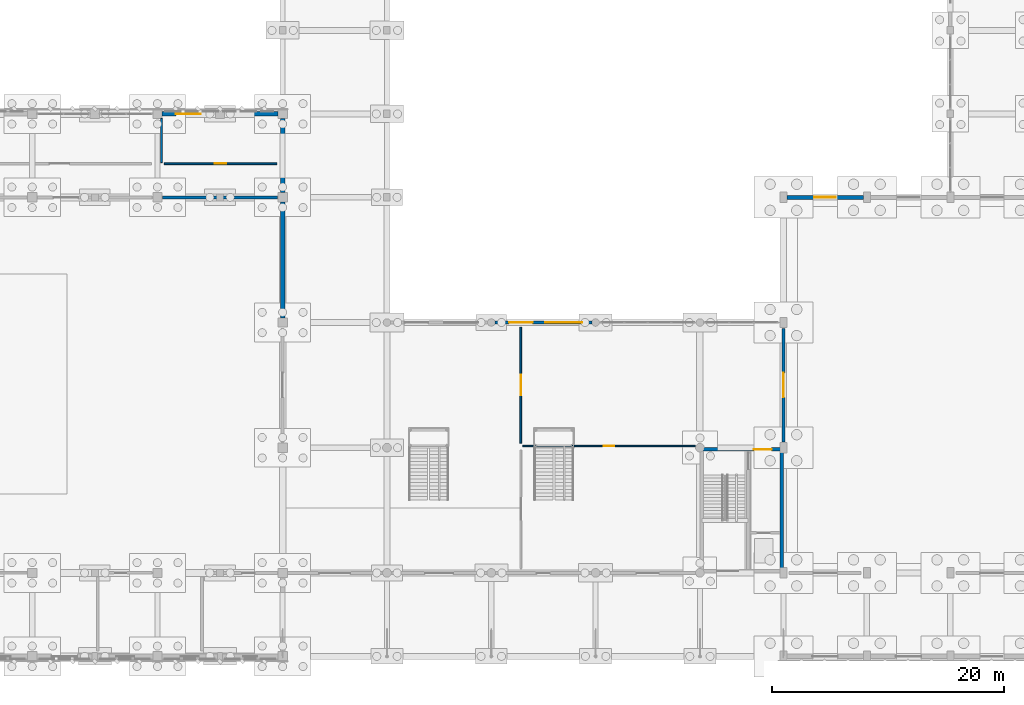
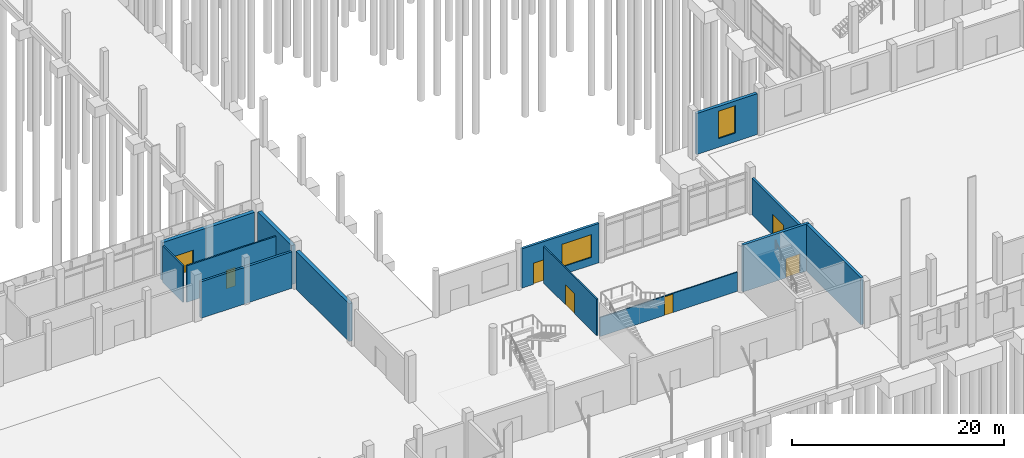
# One storey, part 85 of 109: 13 walls, 7 doors, 2 windows, 9 openings.
"""IFC4 building model written with IfcOpenShell, lengths in metres."""

from ifc_helpers import new_model, si_unit, direction, frame, frame_2d, origin, place, context, subcontext, project, spatial, rectangle, extrude, material, layer, layer_set, type_object, element, fill, save


model = new_model("IFC4")

# Units and contexts
model_context = context("Model", 3, precision=1e-05, world=origin(), true_north=direction((0.0, 1.0)))
body_context = subcontext(model_context, "Body", "Model", "MODEL_VIEW")
ifc_project = project(units=[si_unit("LENGTHUNIT", "METRE"), si_unit("AREAUNIT", "SQUARE_METRE"), si_unit("VOLUMEUNIT", "CUBIC_METRE"), si_unit("PLANEANGLEUNIT", "RADIAN"), si_unit("MASSUNIT", "GRAM", prefix="KILO")], contexts=[model_context])

# Site, building, storey
site_placement = place(None, origin())
site = spatial("IfcSite", under=ifc_project, at=site_placement, CompositionType="ELEMENT")
building_placement = place(site_placement, origin())
building = spatial("IfcBuilding", under=site, at=building_placement, Name="Lusvemor Sports Hall", CompositionType="ELEMENT")
storey_placement = place(building_placement, origin())
storey = spatial("IfcBuildingStorey", under=building, at=storey_placement, Name="L00", CompositionType="ELEMENT", Elevation=0.0)

# Wall, openings, door, window
ifc_material_1 = material(Name="Precast granite-faced Concrete C40/50 architectural cladding", Category="masonry")
ifc_layer_1 = layer(ifc_material_1, 0.27001953125)
ifc_layer_set_1 = layer_set([ifc_layer_1], Name="Precast granite-faced Concrete C40/50 architectural cladding")
wall_type_1 = type_object("IfcWallType", Name="EW_FOYER_270", PredefinedType="STANDARD", material=ifc_layer_set_1)
wall_1_placement = place(storey_placement, frame((93.91064453125, 28.800048828125, 0.0), z_axis=(0.0, 0.0, 1.0), x_axis=(1.0, 0.0, 0.0)))
wall_1 = element("IfcWall", 1, at=wall_1_placement, inside=storey, type_object=wall_type_1, Name="Exterior Wall EW-V4N-L00-2", PredefinedType="STANDARD", context=body_context, shape_type="SweptSolid", body=[
    extrude(rectangle(XDim=8.378662109375, YDim=0.27001953125, at=frame_2d((4.189453125, 0.0))), origin(), (0.0, 0.0, 1.0), 4.514892578125),
])
opening_1_placement = place(wall_1_placement, frame((1.229248046875, 0.0, 0.0)))
opening_1 = element("IfcOpeningElement", 2, at=opening_1_placement, cuts=wall_1, Name="Opening ED05", PredefinedType="OPENING", context=body_context, shape_type="SweptSolid", body=[
    extrude(rectangle(XDim=2.02001953125, YDim=2.43994140625, at=frame_2d((1.010009765625, 1.219970703125))), frame((0.0, 0.135009765625, 0.0), z_axis=(0.0, -1.0, 0.0), x_axis=(1.0, 0.0, 0.0)), (0.0, 0.0, 1.0), 0.27001953125),
])
opening_2_placement = place(wall_1_placement, frame((4.329345703125, 0.0, 0.89990234375)))
opening_2 = element("IfcOpeningElement", 3, at=opening_2_placement, cuts=wall_1, Name="Opening WN27", PredefinedType="OPENING", context=body_context, shape_type="SweptSolid", body=[
    extrude(rectangle(XDim=3.219970703125, YDim=2.6201171875, at=frame_2d((1.60986328125, 1.31005859375))), frame((0.0, 0.135009765625, 0.0), z_axis=(0.0, -1.0, 0.0), x_axis=(1.0, 0.0, 0.0)), (0.0, 0.0, 1.0), 0.27001953125),
])
ifc_material_2 = material(Name="Thermally broken bronze-anodized aluminium", Category="aluminium")
door_type_1 = type_object("IfcDoorType", Name="EDR_CAFE_202x244", OperationType="NOTDEFINED", PredefinedType="DOOR", material=ifc_material_2)
door_1_placement = place(opening_1_placement, origin())
door_1 = element("IfcDoor", 4, at=door_1_placement, inside=storey, type_object=door_type_1, Name="DR-019", OperationType="SINGLE_SWING_RIGHT", OverallHeight=2.43994140625, OverallWidth=2.02001953125, PredefinedType="DOOR", context=body_context, shape_type="SweptSolid", body=[
    extrude(rectangle(XDim=2.02001953125, YDim=2.43994140625, at=frame_2d((1.010009765625, 1.219970703125))), frame((0.0, 0.02490234375, 0.0), z_axis=(0.0, -1.0, 0.0), x_axis=(1.0, 0.0, 0.0)), (0.0, 0.0, 1.0), 0.050048828125),
])
fill(opening_1, door_1)
ifc_material_3 = material(Name="Solar-control laminated double glazing", Category="glass")
window_type_1 = type_object("IfcWindowType", Name="WIN_27", PartitioningType="SINGLE_PANEL", PredefinedType="WINDOW", material=ifc_material_3)
window_1_placement = place(opening_2_placement, origin())
window_1 = element("IfcWindow", 5, at=window_1_placement, inside=storey, type_object=window_type_1, Name="Community Cafe Garden Window 2", OverallHeight=2.6201171875, OverallWidth=3.219970703125, PartitioningType="SINGLE_PANEL", PredefinedType="WINDOW", context=body_context, shape_type="SweptSolid", body=[
    extrude(rectangle(XDim=3.219970703125, YDim=2.6201171875, at=frame_2d((1.60986328125, 1.31005859375))), frame((0.0, 0.030029296875, 0.0), z_axis=(0.0, -1.0, 0.0), x_axis=(1.0, 0.0, 0.0)), (0.0, 0.0, 1.0), 0.06005859375),
])
fill(opening_2, window_1)

# Wall, opening, door
ifc_material_4 = material(Name="Precast granite-faced Concrete C40/50 architectural cladding", Category="masonry")
ifc_layer_2 = layer(ifc_material_4, 0.39501953125)
ifc_layer_set_2 = layer_set([ifc_layer_2], Name="Precast granite-faced Concrete C40/50 architectural cladding")
wall_type_2 = type_object("IfcWallType", Name="EW_GRANITE_395", PredefinedType="STANDARD", material=ifc_layer_set_2)
wall_2_placement = place(storey_placement, frame((65.196044921875, 46.800048828125, 0.0), z_axis=(0.0, 0.0, 1.0), x_axis=(1.0, 0.0, 0.0)))
wall_2 = element("IfcWall", 6, at=wall_2_placement, inside=storey, type_object=wall_type_2, Name="Exterior Wall EW-V1N-L00-6", PredefinedType="STANDARD", context=body_context, shape_type="SweptSolid", body=[
    extrude(rectangle(XDim=10.008056640625, YDim=0.39501953125, at=frame_2d((5.00390625, 0.0))), origin(), (0.0, 0.0, 1.0), 4.405029296875),
])
opening_3_placement = place(wall_2_placement, frame((1.18408203125, 0.0, 0.0)))
opening_3 = element("IfcOpeningElement", 7, at=opening_3_placement, cuts=wall_2, Name="Opening ED12", PredefinedType="OPENING", context=body_context, shape_type="SweptSolid", body=[
    extrude(rectangle(XDim=2.159912109375, YDim=2.3798828125, at=frame_2d((1.080078125, 1.18994140625))), frame((0.0, 0.197509765625, 0.0), z_axis=(0.0, -1.0, 0.0), x_axis=(1.0, 0.0, 0.0)), (0.0, 0.0, 1.0), 0.39501953125),
])
ifc_material_5 = material(Name="Thermally broken bronze-anodized aluminium", Category="aluminium")
door_type_2 = type_object("IfcDoorType", Name="EDR_COURT_N_216x238", OperationType="NOTDEFINED", PredefinedType="DOOR", material=ifc_material_5)
door_2_placement = place(opening_3_placement, origin())
door_2 = element("IfcDoor", 8, at=door_2_placement, inside=storey, type_object=door_type_2, Name="DR-013", OperationType="SINGLE_SWING_LEFT", OverallHeight=2.3798828125, OverallWidth=2.159912109375, PredefinedType="DOOR", context=body_context, shape_type="SweptSolid", body=[
    extrude(rectangle(XDim=2.159912109375, YDim=2.3798828125, at=frame_2d((1.080078125, 1.18994140625))), frame((0.0, 0.02490234375, 0.0), z_axis=(0.0, -1.0, 0.0), x_axis=(1.0, 0.0, 0.0)), (0.0, 0.0, 1.0), 0.050048828125),
])
fill(opening_3, door_2)

# Walls
wall_3_placement = place(storey_placement, frame((75.60009765625, 39.2041015625, 0.0), z_axis=(0.0, 0.0, 1.0), x_axis=(0.0, -1.0, 0.0)))
element("IfcWall", 9, at=wall_3_placement, inside=storey, type_object=wall_type_2, Name="Exterior Wall EW-V1E-L00-4", PredefinedType="STANDARD", context=body_context, shape_type="SweptSolid", body=[
    extrude(rectangle(XDim=10.008056640625, YDim=0.39501953125, at=frame_2d((5.00390625, 0.0))), origin(), (0.0, 0.0, 1.0), 4.344970703125),
])
wall_4_placement = place(storey_placement, frame((75.60009765625, 46.404052734375, 0.0), z_axis=(0.0, 0.0, 1.0), x_axis=(0.0, -1.0, 0.0)))
element("IfcWall", 10, at=wall_4_placement, inside=storey, type_object=wall_type_2, Name="Exterior Wall EW-V1E-L00-5", PredefinedType="STANDARD", context=body_context, shape_type="SweptSolid", body=[
    extrude(rectangle(XDim=6.407958984375, YDim=0.39501953125, at=frame_2d((3.2041015625, 0.0))), origin(), (0.0, 0.0, 1.0), 4.4951171875),
])

# Wall, opening, window
ifc_material_6 = material(Name="Warm terracotta Art Nouveau ceramic cladding on Concrete C40/50 backing", Category="masonry")
ifc_layer_3 = layer(ifc_material_6, 0.340087890625)
ifc_layer_set_3 = layer_set([ifc_layer_3], Name="Warm terracotta Art Nouveau ceramic cladding on Concrete C40/50 backing")
wall_type_3 = type_object("IfcWallType", Name="EW_TERR_CAV_340", PredefinedType="STANDARD", material=ifc_layer_set_3)
wall_5_placement = place(storey_placement, frame((119.095947265625, 39.60009765625, 0.0), z_axis=(0.0, 0.0, 1.0), x_axis=(1.0, 0.0, 0.0)))
wall_5 = element("IfcWall", 11, at=wall_5_placement, inside=storey, type_object=wall_type_3, Name="Exterior Wall EW-V2N-L00-0", PredefinedType="STANDARD", context=body_context, shape_type="SweptSolid", body=[
    extrude(rectangle(XDim=6.608154296875, YDim=0.340087890625, at=frame_2d((3.30419921875, 0.0))), origin(), (0.0, 0.0, 1.0), 4.699951171875),
])
opening_4_placement = place(wall_5_placement, frame((2.37890625, 0.0, 1.0)))
opening_4 = element("IfcOpeningElement", 12, at=opening_4_placement, cuts=wall_5, Name="Opening WN04", PredefinedType="OPENING", context=body_context, shape_type="SweptSolid", body=[
    extrude(rectangle(XDim=1.85009765625, YDim=3.14990234375, at=frame_2d((0.925048828125, 1.574951171875))), frame((0.0, 0.169921875, 0.0), z_axis=(0.0, -1.0, 0.0), x_axis=(1.0, 0.0, 0.0)), (0.0, 0.0, 1.0), 0.340087890625),
])
ifc_material_7 = material(Name="Solar-control laminated double glazing", Category="glass")
window_type_2 = type_object("IfcWindowType", Name="WIN_04", PartitioningType="SINGLE_PANEL", PredefinedType="WINDOW", material=ifc_material_7)
window_2_placement = place(opening_4_placement, origin())
window_2 = element("IfcWindow", 13, at=window_2_placement, inside=storey, type_object=window_type_2, Name="Court 2/3 North Window L00-0", OverallHeight=3.14990234375, OverallWidth=1.85009765625, PartitioningType="SINGLE_PANEL", PredefinedType="WINDOW", context=body_context, shape_type="SweptSolid", body=[
    extrude(rectangle(XDim=1.85009765625, YDim=3.14990234375, at=frame_2d((0.925048828125, 1.574951171875))), frame((0.0, 0.030029296875, 0.0), z_axis=(0.0, -1.0, 0.0), x_axis=(1.0, 0.0, 0.0)), (0.0, 0.0, 1.0), 0.06005859375),
])
fill(opening_4, window_2)

# Wall
ifc_material_8 = material(Name="Plastered ceramic masonry blockwork", Category="masonry")
ifc_layer_4 = layer(ifc_material_8, 0.25)
ifc_layer_set_4 = layer_set([ifc_layer_4], Name="Plastered ceramic masonry blockwork")
wall_type_4 = type_object("IfcWallType", Name="IW_COMP_248", PredefinedType="STANDARD", material=ifc_layer_set_4)
wall_6_placement = place(storey_placement, frame((65.25, 39.60009765625, 0.0), z_axis=(0.0, 0.0, 1.0), x_axis=(1.0, 0.0, 0.0)))
element("IfcWall", 14, at=wall_6_placement, inside=storey, type_object=wall_type_4, Name="Partition IW-L00-V1NC-6", PredefinedType="STANDARD", context=body_context, shape_type="SweptSolid", body=[
    extrude(rectangle(XDim=9.89990234375, YDim=0.25, at=frame_2d((4.949951171875, 0.0))), origin(), (0.0, 0.0, 1.0), 4.199951171875),
])

# Wall, opening, door
wall_7_placement = place(storey_placement, frame((118.800048828125, 18.5, 0.0), z_axis=(0.0, 0.0, 1.0), x_axis=(0.0, 1.0, 0.0)))
wall_7 = element("IfcWall", 15, at=wall_7_placement, inside=storey, type_object=wall_type_4, Name="Partition IW-L00-FOY-C2", PredefinedType="STANDARD", context=body_context, shape_type="SweptSolid", body=[
    extrude(rectangle(XDim=9.800048828125, YDim=0.25, at=frame_2d((4.89990234375, 0.0))), origin(), (0.0, 0.0, 1.0), 4.199951171875),
])
opening_5_placement = place(wall_7_placement, frame((3.85009765625, 0.0, 0.0)))
opening_5 = element("IfcOpeningElement", 16, at=opening_5_placement, cuts=wall_7, Name="Opening ID01", PredefinedType="OPENING", context=body_context, shape_type="SweptSolid", body=[
    extrude(rectangle(XDim=2.10009765625, YDim=2.39990234375, at=frame_2d((1.050048828125, 1.199951171875))), frame((0.0, 0.125, 0.0), z_axis=(0.0, -1.0, 0.0), x_axis=(1.0, 0.0, 0.0)), (0.0, 0.0, 1.0), 0.25),
])
ifc_material_9 = material(Name="Acoustic solid-core hardwood door leaf in steel frame", Category="steel")
door_type_3 = type_object("IfcDoorType", Name="IDR_COURT_DBL_210", OperationType="NOTDEFINED", PredefinedType="DOOR", material=ifc_material_9)
door_3_placement = place(opening_5_placement, origin())
door_3 = element("IfcDoor", 17, at=door_3_placement, inside=storey, type_object=door_type_3, Name="DR-148", OperationType="SINGLE_SWING_RIGHT", OverallHeight=2.39990234375, OverallWidth=2.10009765625, PredefinedType="DOOR", context=body_context, shape_type="SweptSolid", body=[
    extrude(rectangle(XDim=2.10009765625, YDim=2.39990234375, at=frame_2d((1.050048828125, 1.199951171875))), frame((0.0, 0.02490234375, 0.0), z_axis=(0.0, -1.0, 0.0), x_axis=(1.0, 0.0, 0.0)), (0.0, 0.0, 1.0), 0.050048828125),
])
fill(opening_5, door_3)

ifc_material_10 = material(Name="Double-leaf acoustic gypsum board on metal studs")
ifc_layer_5 = layer(ifc_material_10, 0.1201171875)
ifc_layer_set_5 = layer_set([ifc_layer_5], Name="Double-leaf acoustic gypsum board on metal studs")
wall_type_5 = type_object("IfcWallType", Name="IW_PART_124", PredefinedType="STANDARD", material=ifc_layer_set_5)
wall_8_placement = place(storey_placement, frame((96.300048828125, 18.14990234375, 0.0), z_axis=(0.0, 0.0, 1.0), x_axis=(1.0, 0.0, 0.0)))
wall_8 = element("IfcWall", 18, at=wall_8_placement, inside=storey, type_object=wall_type_5, Name="Partition IW-L00-CAFE-SHOP", PredefinedType="STANDARD", context=body_context, shape_type="SweptSolid", body=[
    extrude(rectangle(XDim=14.89990234375, YDim=0.1201171875, at=frame_2d((7.449951171875, 0.0))), origin(), (0.0, 0.0, 1.0), 2.197021484375),
])
opening_6_placement = place(wall_8_placement, frame((6.989990234375, 0.0, 0.0)))
opening_6 = element("IfcOpeningElement", 19, at=opening_6_placement, cuts=wall_8, Name="Opening ID13", PredefinedType="OPENING", context=body_context, shape_type="SweptSolid", body=[
    extrude(rectangle(XDim=0.919921875, YDim=2.1201171875, at=frame_2d((0.4599609375, 1.06005859375))), frame((0.0, 0.06005859375, 0.0), z_axis=(0.0, -1.0, 0.0), x_axis=(1.0, 0.0, 0.0)), (0.0, 0.0, 1.0), 0.1201171875),
])
ifc_material_11 = material(Name="Acoustic solid-core hardwood door leaf in steel frame", Category="steel")
door_type_4 = type_object("IfcDoorType", Name="IDR_ADMIN_092", OperationType="NOTDEFINED", PredefinedType="DOOR", material=ifc_material_11)
door_4_placement = place(opening_6_placement, origin())
door_4 = element("IfcDoor", 20, at=door_4_placement, inside=storey, type_object=door_type_4, Name="DR-147", OperationType="SINGLE_SWING_LEFT", OverallHeight=2.1201171875, OverallWidth=0.919921875, PredefinedType="DOOR", context=body_context, shape_type="SweptSolid", body=[
    extrude(rectangle(XDim=0.919921875, YDim=2.1201171875, at=frame_2d((0.4599609375, 1.06005859375))), frame((0.0, 0.02490234375, 0.0), z_axis=(0.0, -1.0, 0.0), x_axis=(1.0, 0.0, 0.0)), (0.0, 0.0, 1.0), 0.050048828125),
])
fill(opening_6, door_4)

ifc_material_12 = material(Name="Double-leaf acoustic gypsum board on metal studs")
ifc_layer_6 = layer(ifc_material_12, 0.14990234375)
ifc_layer_set_6 = layer_set([ifc_layer_6], Name="Double-leaf acoustic gypsum board on metal studs")
wall_type_6 = type_object("IfcWallType", Name="IW_PART_152", PredefinedType="STANDARD", material=ifc_layer_set_6)
wall_9_placement = place(storey_placement, frame((96.14990234375, 18.39990234375, 0.0), z_axis=(0.0, 0.0, 1.0), x_axis=(0.0, 1.0, 0.0)))
wall_9 = element("IfcWall", 21, at=wall_9_placement, inside=storey, type_object=wall_type_6, Name="Partition IW-L00-CAFE-W", PredefinedType="STANDARD", context=body_context, shape_type="SweptSolid", body=[
    extrude(rectangle(XDim=10.0, YDim=0.14990234375, at=frame_2d((5.0, 0.0))), origin(), (0.0, 0.0, 1.0), 4.199951171875),
])
opening_7_placement = place(wall_9_placement, frame((4.1201171875, 0.0, 0.0)))
opening_7 = element("IfcOpeningElement", 22, at=opening_7_placement, cuts=wall_9, Name="Opening ID15", PredefinedType="OPENING", context=body_context, shape_type="SweptSolid", body=[
    extrude(rectangle(XDim=1.760009765625, YDim=2.300048828125, at=frame_2d((0.8798828125, 1.14990234375))), frame((0.0, 0.074951171875, 0.0), z_axis=(0.0, -1.0, 0.0), x_axis=(1.0, 0.0, 0.0)), (0.0, 0.0, 1.0), 0.14990234375),
])
ifc_material_13 = material(Name="Acoustic solid-core hardwood door leaf in steel frame", Category="steel")
door_type_5 = type_object("IfcDoorType", Name="IDR_CAFE_INT_176", OperationType="NOTDEFINED", PredefinedType="DOOR", material=ifc_material_13)
door_5_placement = place(opening_7_placement, origin())
door_5 = element("IfcDoor", 23, at=door_5_placement, inside=storey, type_object=door_type_5, Name="DR-145", OperationType="SINGLE_SWING_LEFT", OverallHeight=2.300048828125, OverallWidth=1.760009765625, PredefinedType="DOOR", context=body_context, shape_type="SweptSolid", body=[
    extrude(rectangle(XDim=1.760009765625, YDim=2.300048828125, at=frame_2d((0.8798828125, 1.14990234375))), frame((0.0, 0.02490234375, 0.0), z_axis=(0.0, -1.0, 0.0), x_axis=(1.0, 0.0, 0.0)), (0.0, 0.0, 1.0), 0.050048828125),
])
fill(opening_7, door_5)

ifc_material_14 = material(Name="Moisture-resistant tiled plumbing service wall")
ifc_layer_7 = layer(ifc_material_14, 0.159912109375)
ifc_layer_set_7 = layer_set([ifc_layer_7], Name="Moisture-resistant tiled plumbing service wall")
wall_type_7 = type_object("IfcWallType", Name="PW_WET_160", PredefinedType="PLUMBINGWALL", material=ifc_layer_set_7)
wall_10_placement = place(storey_placement, frame((65.39990234375, 42.5, 0.0), z_axis=(0.0, 0.0, 1.0), x_axis=(1.0, 0.0, 0.0)))
wall_10 = element("IfcWall", 24, at=wall_10_placement, inside=storey, type_object=wall_type_7, Name="Partition IW-L00-AWCV1", PredefinedType="PLUMBINGWALL", context=body_context, shape_type="SweptSolid", body=[
    extrude(rectangle(XDim=9.7001953125, YDim=0.159912109375, at=frame_2d((4.85009765625, 0.0))), origin(), (0.0, 0.0, 1.0), 4.199951171875),
])
opening_8_placement = place(wall_10_placement, frame((4.35009765625, 0.0, 0.0)))
opening_8 = element("IfcOpeningElement", 25, at=opening_8_placement, cuts=wall_10, Name="Opening ID11", PredefinedType="OPENING", context=body_context, shape_type="SweptSolid", body=[
    extrude(rectangle(XDim=1.0, YDim=2.14990234375, at=frame_2d((0.5, 1.074951171875))), frame((0.0, 0.080078125, 0.0), z_axis=(0.0, -1.0, 0.0), x_axis=(1.0, 0.0, 0.0)), (0.0, 0.0, 1.0), 0.159912109375),
])
ifc_material_15 = material(Name="Acoustic solid-core hardwood door leaf in steel frame", Category="steel")
door_type_6 = type_object("IfcDoorType", Name="IDR_AWC_100", OperationType="NOTDEFINED", PredefinedType="DOOR", material=ifc_material_15)
door_6_placement = place(opening_8_placement, origin())
door_6 = element("IfcDoor", 26, at=door_6_placement, inside=storey, type_object=door_type_6, Name="DR-143", OperationType="SINGLE_SWING_LEFT", OverallHeight=2.14990234375, OverallWidth=1.0, PredefinedType="DOOR", context=body_context, shape_type="SweptSolid", body=[
    extrude(rectangle(XDim=1.0, YDim=2.14990234375, at=frame_2d((0.5, 1.074951171875))), frame((0.0, 0.02490234375, 0.0), z_axis=(0.0, -1.0, 0.0), x_axis=(1.0, 0.0, 0.0)), (0.0, 0.0, 1.0), 0.050048828125),
])
fill(opening_8, door_6)

# Wall
wall_11_placement = place(storey_placement, frame((65.14990234375, 42.60009765625, 0.0), z_axis=(0.0, 0.0, 1.0), x_axis=(0.0, 1.0, 0.0)))
element("IfcWall", 27, at=wall_11_placement, inside=storey, type_object=wall_type_7, Name="Partition IW-L00-V1NDIV-3", PredefinedType="PLUMBINGWALL", context=body_context, shape_type="SweptSolid", body=[
    extrude(rectangle(XDim=3.7998046875, YDim=0.159912109375, at=frame_2d((1.89990234375, 0.0))), origin(), (0.0, 0.0, 1.0), 4.199951171875),
])

# Wall, opening, door
ifc_material_16 = material(Name="Concrete C40/50", Category="concrete")
ifc_layer_8 = layer(ifc_material_16, 0.300048828125)
ifc_layer_set_8 = layer_set([ifc_layer_8], Name="Concrete C40/50")
wall_type_8 = type_object("IfcWallType", Name="WALL_CORE_300_INT", PredefinedType="SHEAR", material=ifc_layer_set_8)
wall_12_placement = place(storey_placement, frame((111.60009765625, 17.85009765625, 0.0), z_axis=(0.0, 0.0, 1.0), x_axis=(1.0, 0.0, 0.0)))
wall_12 = element("IfcWall", 28, at=wall_12_placement, inside=storey, type_object=wall_type_8, Name="Core C7 Central Foyer Shear Wall N (L00)", PredefinedType="SHEAR", context=body_context, shape_type="SweptSolid", body=[
    extrude(rectangle(XDim=7.199951171875, YDim=0.300048828125, at=frame_2d((3.60009765625, 0.0))), origin(), (0.0, 0.0, 1.0), 5.39990234375),
])
opening_9_placement = place(wall_12_placement, frame((4.64990234375, 0.0, 0.0)))
opening_9 = element("IfcOpeningElement", 29, at=opening_9_placement, cuts=wall_12, Name="Opening DR-FD60-01", PredefinedType="OPENING", context=body_context, shape_type="SweptSolid", body=[
    extrude(rectangle(XDim=1.5400390625, YDim=2.219970703125, at=frame_2d((0.77001953125, 1.10986328125))), frame((0.0, 0.14990234375, 0.0), z_axis=(0.0, -1.0, 0.0), x_axis=(1.0, 0.0, 0.0)), (0.0, 0.0, 1.0), 0.300048828125),
])
ifc_material_17 = material(Name="Fire-rated insulated painted steel door assembly", Category="steel")
door_type_7 = type_object("IfcDoorType", Name="IDR_LOBBY_FD60_154", OperationType="NOTDEFINED", PredefinedType="DOOR", material=ifc_material_17)
door_7_placement = place(opening_9_placement, origin())
door_7 = element("IfcDoor", 30, at=door_7_placement, inside=storey, type_object=door_type_7, Name="DR-120", OperationType="SINGLE_SWING_LEFT", OverallHeight=2.219970703125, OverallWidth=1.5400390625, PredefinedType="DOOR", context=body_context, shape_type="SweptSolid", body=[
    extrude(rectangle(XDim=1.5400390625, YDim=2.219970703125, at=frame_2d((0.77001953125, 1.10986328125))), frame((0.0, 0.02490234375, 0.0), z_axis=(0.0, -1.0, 0.0), x_axis=(1.0, 0.0, 0.0)), (0.0, 0.0, 1.0), 0.050048828125),
])
fill(opening_9, door_7)

# Wall
wall_13_placement = place(storey_placement, frame((118.64990234375, 17.699951171875, 0.0), z_axis=(0.0, 0.0, 1.0), x_axis=(0.0, -1.0, 0.0)))
element("IfcWall", 31, at=wall_13_placement, inside=storey, type_object=wall_type_8, Name="Core C7 Central Foyer Shear Wall E (L00)", PredefinedType="SHEAR", context=body_context, shape_type="SweptSolid", body=[
    extrude(rectangle(XDim=10.199951171875, YDim=0.300048828125, at=frame_2d((5.10009765625, 0.0))), origin(), (0.0, 0.0, 1.0), 5.39990234375),
])

save(model, "model.ifc")
